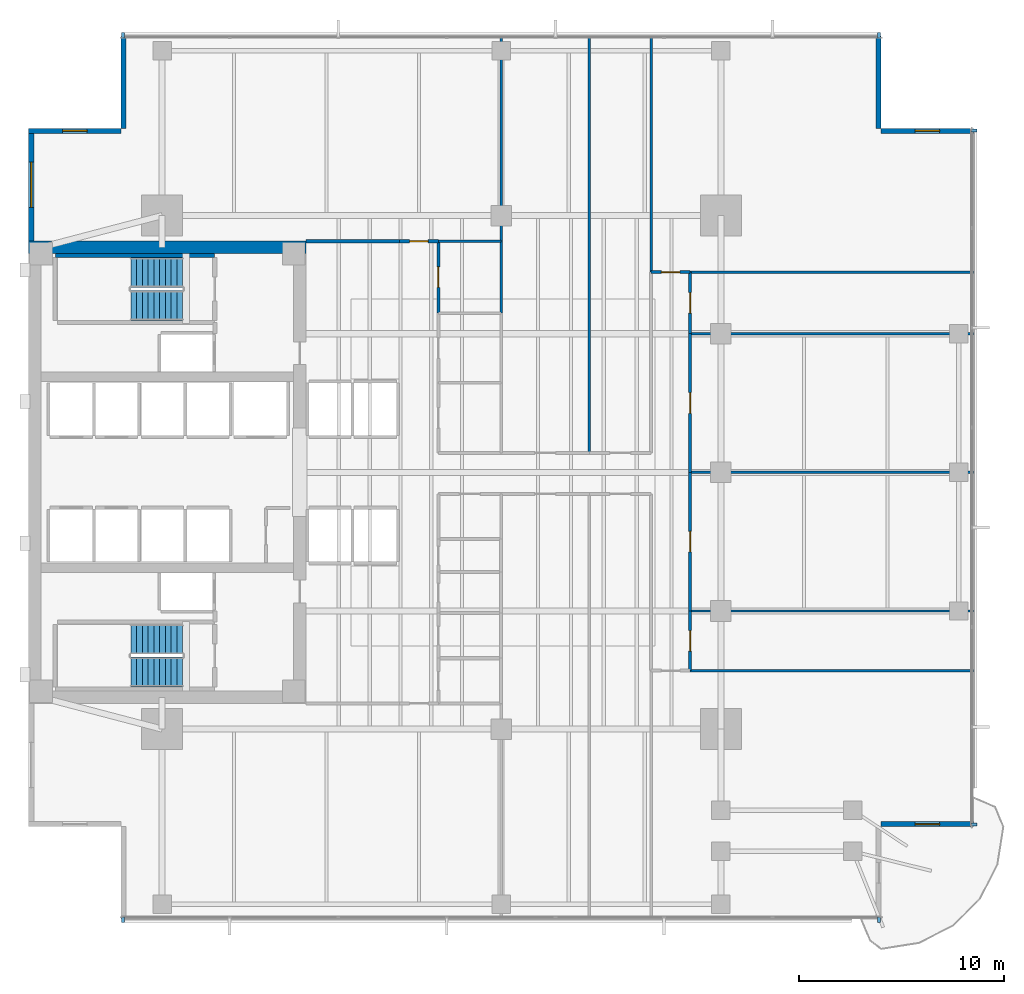
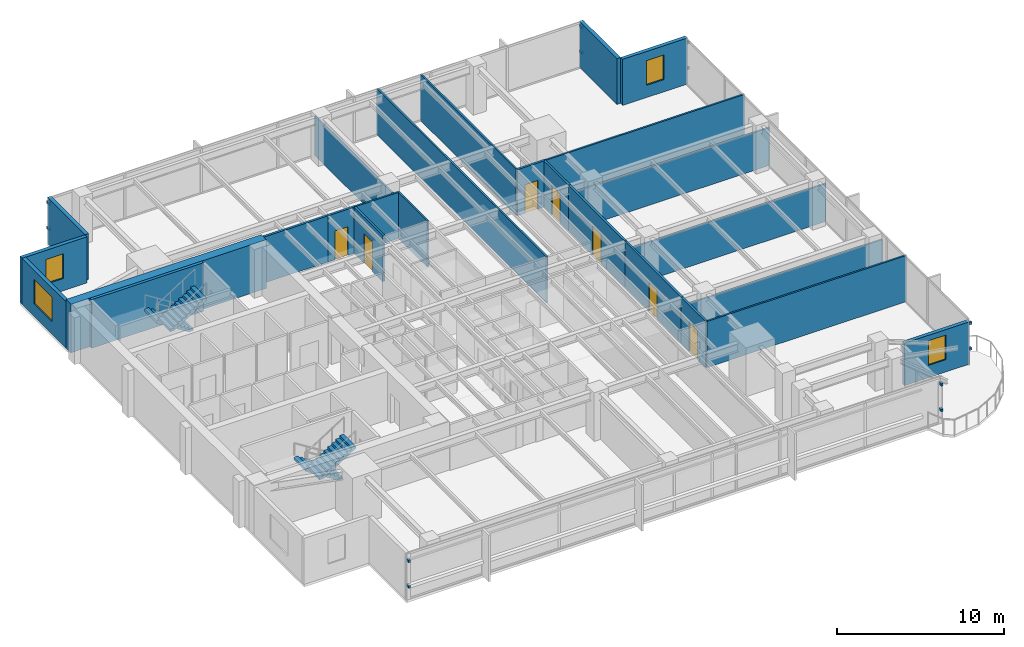
# One storey, part 10 of 14: 26 walls, 12 discrete accessories, 7 doors, 4 stair flights, 4 windows, 11 openings, 2 elements without a shape of their own.
"""IFC4 building model written with IfcOpenShell, lengths in metres."""

from ifc_helpers import new_model, si_unit, direction, frame, frame_2d, origin, origin_2d, place, context, subcontext, project, spatial, polyline, rectangle, outline, extrude, material, layer, layer_set, type_object, element, fill, aggregate, save


model = new_model("IFC4")

# Units and contexts
model_context = context("Model", 3, precision=1e-05, world=origin(), true_north=direction((0.0, 1.0)))
body_context = subcontext(model_context, "Body", "Model", "MODEL_VIEW")
ifc_project = project(units=[si_unit("LENGTHUNIT", "METRE"), si_unit("AREAUNIT", "SQUARE_METRE"), si_unit("VOLUMEUNIT", "CUBIC_METRE"), si_unit("PLANEANGLEUNIT", "RADIAN"), si_unit("MASSUNIT", "GRAM", prefix="KILO")], contexts=[model_context])

# Site, building, storey
site_placement = place(None, origin())
site = spatial("IfcSite", under=ifc_project, at=site_placement, CompositionType="ELEMENT")
building_placement = place(site_placement, origin())
building = spatial("IfcBuilding", under=site, at=building_placement, Name="Kinhvarn Gate Tower", CompositionType="ELEMENT")
storey_placement = place(building_placement, frame((0.0, 0.0, 102.25)))
storey = spatial("IfcBuildingStorey", under=building, at=storey_placement, Name="L26", CompositionType="ELEMENT", Elevation=102.25)

# Wall
ifc_material_1 = material(Name="Concrete C60/75", Category="concrete")
ifc_layer_1 = layer(ifc_material_1, 0.60009765625)
ifc_layer_set_1 = layer_set([ifc_layer_1], Name="Concrete C60/75")
wall_type_1 = type_object("IfcWallType", Name="WL-CORE-600", PredefinedType="SHEAR", material=ifc_layer_set_1)
wall_1_placement = place(storey_placement, frame((4.5, 36.199951171875, 0.0), z_axis=(0.0, 0.0, 1.0), x_axis=(1.0, 0.0, 0.0)))
element("IfcWall", 1, at=wall_1_placement, inside=storey, type_object=wall_type_1, Name="Core North Shear Wall L26 600 mm", PredefinedType="SHEAR", context=body_context, shape_type="SweptSolid", body=[
    extrude(rectangle(XDim=13.5, YDim=0.60009765625, at=frame_2d((6.75, 0.0))), origin(), (0.0, 0.0, 1.0), 3.550048828125),
])

# Wall, opening, window
ifc_material_2 = material(Name="Fired architectural terracotta", Category="masonry")
ifc_layer_2 = layer(ifc_material_2, 0.25)
ifc_layer_set_2 = layer_set([ifc_layer_2], Name="Fired architectural terracotta")
wall_type_2 = type_object("IfcWallType", Name="WL-EXT-250", PredefinedType="SOLIDWALL", material=ifc_layer_set_2)
wall_2_placement = place(storey_placement, frame((4.625, 42.0, 0.0), z_axis=(0.0, 0.0, 1.0), x_axis=(0.0, -1.0, 0.0)))
wall_2 = element("IfcWall", 2, at=wall_2_placement, inside=storey, type_object=wall_type_2, Name="Exterior Solidwall Wall EW-250 (L26 West-North)", PredefinedType="SOLIDWALL", context=body_context, shape_type="SweptSolid", body=[
    extrude(rectangle(XDim=5.5, YDim=0.25, at=frame_2d((2.75, 0.0))), origin(), (0.0, 0.0, 1.0), 3.3701171875),
])
opening_1_placement = place(wall_2_placement, frame((1.64990234375, 0.0, 0.89990234375)))
opening_1 = element("IfcOpeningElement", 3, at=opening_1_placement, cuts=wall_2, Name="Opening WN-01", PredefinedType="OPENING", context=body_context, shape_type="SweptSolid", body=[
    extrude(rectangle(XDim=2.199951171875, YDim=1.800048828125, at=frame_2d((1.10009765625, 0.89990234375))), frame((0.0, 0.135009765625, 0.0), z_axis=(0.0, -1.0, 0.0), x_axis=(1.0, 0.0, 0.0)), (0.0, 0.0, 1.0), 0.27001953125),
])
ifc_material_3 = material(Name="Clear low-e double glazing", Category="glass")
window_type_1 = type_object("IfcWindowType", Name="WIN-RIB-2200", PartitioningType="SINGLE_PANEL", PredefinedType="WINDOW", material=ifc_material_3)
window_1_placement = place(opening_1_placement, origin())
window_1 = element("IfcWindow", 4, at=window_1_placement, inside=storey, type_object=window_type_1, Name="West Flank Double-Glazed Ribbon Window 2200x1800 mm (L26)", OverallHeight=1.800048828125, OverallWidth=2.199951171875, PartitioningType="SINGLE_PANEL", PredefinedType="WINDOW", context=body_context, shape_type="SweptSolid", body=[
    extrude(rectangle(XDim=2.199951171875, YDim=1.800048828125, at=frame_2d((1.10009765625, 0.89990234375))), frame((0.0, 0.030029296875, 0.0), z_axis=(0.0, -1.0, 0.0), x_axis=(1.0, 0.0, 0.0)), (0.0, 0.0, 1.0), 0.06005859375),
])
fill(opening_1, window_1)

wall_3_placement = place(storey_placement, frame((46.0, 8.125, 0.0), z_axis=(0.0, 0.0, 1.0), x_axis=(1.0, 0.0, 0.0)))
wall_3 = element("IfcWall", 5, at=wall_3_placement, inside=storey, type_object=wall_type_2, Name="Exterior Solidwall Wall EW-250 (L26 SE-Notch-Win)", PredefinedType="SOLIDWALL", context=body_context, shape_type="SweptSolid", body=[
    extrude(rectangle(XDim=4.5, YDim=0.25, at=frame_2d((2.25, 0.0))), origin(), (0.0, 0.0, 1.0), 3.10009765625),
])
opening_2_placement = place(wall_3_placement, frame((1.64990234375, 0.0, 0.89990234375)))
opening_2 = element("IfcOpeningElement", 6, at=opening_2_placement, cuts=wall_3, Name="Opening WN-02", PredefinedType="OPENING", context=body_context, shape_type="SweptSolid", body=[
    extrude(rectangle(XDim=1.199951171875, YDim=1.800048828125, at=frame_2d((0.60009765625, 0.89990234375))), frame((0.0, 0.135009765625, 0.0), z_axis=(0.0, -1.0, 0.0), x_axis=(1.0, 0.0, 0.0)), (0.0, 0.0, 1.0), 0.27001953125),
])
window_type_2 = type_object("IfcWindowType", Name="WIN-NTC-1200", PartitioningType="SINGLE_PANEL", PredefinedType="WINDOW", material=ifc_material_3)
window_2_placement = place(opening_2_placement, origin())
window_2 = element("IfcWindow", 7, at=window_2_placement, inside=storey, type_object=window_type_2, Name="Recessed Corner Notch Punched Window 1200x1800 mm (L26)", OverallHeight=1.800048828125, OverallWidth=1.199951171875, PartitioningType="SINGLE_PANEL", PredefinedType="WINDOW", context=body_context, shape_type="SweptSolid", body=[
    extrude(rectangle(XDim=1.199951171875, YDim=1.800048828125, at=frame_2d((0.60009765625, 0.89990234375))), frame((0.0, 0.030029296875, 0.0), z_axis=(0.0, -1.0, 0.0), x_axis=(1.0, 0.0, 0.0)), (0.0, 0.0, 1.0), 0.06005859375),
])
fill(opening_2, window_2)

wall_4_placement = place(storey_placement, frame((50.5, 41.875, 0.0), z_axis=(0.0, 0.0, 1.0), x_axis=(-1.0, 0.0, 0.0)))
wall_4 = element("IfcWall", 8, at=wall_4_placement, inside=storey, type_object=wall_type_2, Name="Exterior Solidwall Wall EW-250 (L26 NE-Notch-1)", PredefinedType="SOLIDWALL", context=body_context, shape_type="SweptSolid", body=[
    extrude(rectangle(XDim=4.5, YDim=0.25, at=frame_2d((2.25, 0.0))), origin(), (0.0, 0.0, 1.0), 3.3701171875),
])
opening_3_placement = place(wall_4_placement, frame((1.64990234375, 0.0, 0.89990234375)))
opening_3 = element("IfcOpeningElement", 9, at=opening_3_placement, cuts=wall_4, Name="Opening WN-02", PredefinedType="OPENING", context=body_context, shape_type="SweptSolid", body=[
    extrude(rectangle(XDim=1.199951171875, YDim=1.800048828125, at=frame_2d((0.60009765625, 0.89990234375))), frame((0.0, 0.135009765625, 0.0), z_axis=(0.0, -1.0, 0.0), x_axis=(1.0, 0.0, 0.0)), (0.0, 0.0, 1.0), 0.27001953125),
])
window_3_placement = place(opening_3_placement, origin())
window_3 = element("IfcWindow", 10, at=window_3_placement, inside=storey, type_object=window_type_2, Name="Recessed Corner Notch Punched Window 1200x1800 mm (L26)", OverallHeight=1.800048828125, OverallWidth=1.199951171875, PartitioningType="SINGLE_PANEL", PredefinedType="WINDOW", context=body_context, shape_type="SweptSolid", body=[
    extrude(rectangle(XDim=1.199951171875, YDim=1.800048828125, at=frame_2d((0.60009765625, 0.89990234375))), frame((0.0, 0.030029296875, 0.0), z_axis=(0.0, -1.0, 0.0), x_axis=(1.0, 0.0, 0.0)), (0.0, 0.0, 1.0), 0.06005859375),
])
fill(opening_3, window_3)

# Walls
for number, where, z_axis, x_axis, name in (
    (11, (45.875, 42.0, 0.0), (0.0, 0.0, 1.0), (0.0, 1.0, 0.0), "Exterior Solidwall Wall EW-250 (L26 NE-Notch-2)"),
    (12, (9.125, 46.5, 0.0), (0.0, 0.0, 1.0), (0.0, -1.0, 0.0), "Exterior Solidwall Wall EW-250 (L26 NW-Notch-1)"),
):
    element("IfcWall", number, at=place(storey_placement, frame(where, z_axis=z_axis, x_axis=x_axis)), inside=storey, type_object=wall_type_2, Name=name, PredefinedType="SOLIDWALL", context=body_context, shape_type="SweptSolid", body=[
        extrude(rectangle(XDim=4.5, YDim=0.25, at=frame_2d((2.25, 0.0))), origin(), (0.0, 0.0, 1.0), 3.3701171875),
    ])

# Wall, opening, window
wall_5_placement = place(storey_placement, frame((9.0, 41.875, 0.0), z_axis=(0.0, 0.0, 1.0), x_axis=(-1.0, 0.0, 0.0)))
wall_5 = element("IfcWall", 13, at=wall_5_placement, inside=storey, type_object=wall_type_2, Name="Exterior Solidwall Wall EW-250 (L26 NW-Notch-2)", PredefinedType="SOLIDWALL", context=body_context, shape_type="SweptSolid", body=[
    extrude(rectangle(XDim=4.5, YDim=0.25, at=frame_2d((2.25, 0.0))), origin(), (0.0, 0.0, 1.0), 3.3701171875),
])
opening_4_placement = place(wall_5_placement, frame((1.64990234375, 0.0, 0.89990234375)))
opening_4 = element("IfcOpeningElement", 14, at=opening_4_placement, cuts=wall_5, Name="Opening WN-02", PredefinedType="OPENING", context=body_context, shape_type="SweptSolid", body=[
    extrude(rectangle(XDim=1.199951171875, YDim=1.800048828125, at=frame_2d((0.60009765625, 0.89990234375))), frame((0.0, 0.135009765625, 0.0), z_axis=(0.0, -1.0, 0.0), x_axis=(1.0, 0.0, 0.0)), (0.0, 0.0, 1.0), 0.27001953125),
])
window_4_placement = place(opening_4_placement, origin())
window_4 = element("IfcWindow", 15, at=window_4_placement, inside=storey, type_object=window_type_2, Name="Recessed Corner Notch Punched Window 1200x1800 mm (L26)", OverallHeight=1.800048828125, OverallWidth=1.199951171875, PartitioningType="SINGLE_PANEL", PredefinedType="WINDOW", context=body_context, shape_type="SweptSolid", body=[
    extrude(rectangle(XDim=1.199951171875, YDim=1.800048828125, at=frame_2d((0.60009765625, 0.89990234375))), frame((0.0, 0.030029296875, 0.0), z_axis=(0.0, -1.0, 0.0), x_axis=(1.0, 0.0, 0.0)), (0.0, 0.0, 1.0), 0.06005859375),
])
fill(opening_4, window_4)

# Walls
ifc_material_4 = material(Name="Gypsum acoustic partition board")
ifc_layer_3 = layer(ifc_material_4, 0.1201171875)
ifc_layer_set_3 = layer_set([ifc_layer_3], Name="Gypsum acoustic partition board")
wall_type_3 = type_object("IfcWallType", Name="WL-PRT-120", PredefinedType="PARTITIONING", material=ifc_layer_set_3)
wall_6_placement = place(storey_placement, frame((24.449951171875, 36.5, 0.0), z_axis=(0.0, 0.0, 1.0), x_axis=(1.0, 0.0, 0.0)))
element("IfcWall", 16, at=wall_6_placement, inside=storey, type_object=wall_type_3, Name="Interior Partition PW-120 (L26)", PredefinedType="PARTITIONING", context=body_context, shape_type="SweptSolid", body=[
    extrude(rectangle(XDim=3.050048828125, YDim=0.1201171875, at=frame_2d((1.52490234375, 0.0))), origin(), (0.0, 0.0, 1.0), 3.3701171875),
])
wall_7_placement = place(storey_placement, frame((27.5, 33.0, 0.0), z_axis=(0.0, 0.0, 1.0), x_axis=(0.0, 1.0, 0.0)))
element("IfcWall", 17, at=wall_7_placement, inside=storey, type_object=wall_type_3, Name="Interior Partition PW-120 (L26)", PredefinedType="PARTITIONING", context=body_context, shape_type="SweptSolid", body=[
    extrude(rectangle(XDim=3.5, YDim=0.1201171875, at=frame_2d((1.75, 0.0))), origin(), (0.0, 0.0, 1.0), 3.3701171875),
])
wall_8_placement = place(storey_placement, frame((27.5, 36.5, 0.0), z_axis=(0.0, 0.0, 1.0), x_axis=(0.0, 1.0, 0.0)))
element("IfcWall", 18, at=wall_8_placement, inside=storey, type_object=wall_type_3, Name="Interior Partition PW-120 (L26)", PredefinedType="PARTITIONING", context=body_context, shape_type="SweptSolid", body=[
    extrude(rectangle(XDim=9.989990234375, YDim=0.1201171875, at=frame_2d((4.9951171875, 0.0))), origin(), (0.0, 0.0, 1.0), 2.8701171875),
])
wall_9_placement = place(storey_placement, frame((31.800048828125, 26.199951171875, 0.0), z_axis=(0.0, 0.0, 1.0), x_axis=(0.0, 1.0, 0.0)))
element("IfcWall", 19, at=wall_9_placement, inside=storey, type_object=wall_type_3, Name="Interior Partition PW-120 (L26)", PredefinedType="PARTITIONING", context=body_context, shape_type="SweptSolid", body=[
    extrude(rectangle(XDim=20.2900390625, YDim=0.1201171875, at=frame_2d((10.14501953125, 0.0))), origin(), (0.0, 0.0, 1.0), 3.3701171875),
])
wall_10_placement = place(storey_placement, frame((34.800048828125, 35.0, 0.0), z_axis=(0.0, 0.0, 1.0), x_axis=(0.0, 1.0, 0.0)))
element("IfcWall", 20, at=wall_10_placement, inside=storey, type_object=wall_type_3, Name="Interior Partition PW-120 (L26)", PredefinedType="PARTITIONING", context=body_context, shape_type="SweptSolid", body=[
    extrude(rectangle(XDim=11.489990234375, YDim=0.1201171875, at=frame_2d((5.7451171875, 0.0))), origin(), (0.0, 0.0, 1.0), 3.3701171875),
])
wall_11_placement = place(storey_placement, frame((36.699951171875, 15.60009765625, 0.0), z_axis=(0.0, 0.0, 1.0), x_axis=(1.0, 0.0, 0.0)))
element("IfcWall", 21, at=wall_11_placement, inside=storey, type_object=wall_type_3, Name="Interior Partition PW-120 (L26)", PredefinedType="PARTITIONING", context=body_context, shape_type="SweptSolid", body=[
    extrude(rectangle(XDim=13.7900390625, YDim=0.1201171875, at=frame_2d((6.89501953125, 0.0))), origin(), (0.0, 0.0, 1.0), 3.3701171875),
])
for number, where, z_axis, x_axis, name in (
    (22, (36.699951171875, 18.5, 0.0), (0.0, 0.0, 1.0), (1.0, 0.0, 0.0), "Interior Partition PW-120 (L26)"),
    (23, (36.699951171875, 25.25, 0.0), (0.0, 0.0, 1.0), (1.0, 0.0, 0.0), "Interior Partition PW-120 (L26)"),
    (24, (36.699951171875, 32.0, 0.0), (0.0, 0.0, 1.0), (1.0, 0.0, 0.0), "Interior Partition PW-120 (L26)"),
):
    element("IfcWall", number, at=place(storey_placement, frame(where, z_axis=z_axis, x_axis=x_axis)), inside=storey, type_object=wall_type_3, Name=name, PredefinedType="PARTITIONING", context=body_context, shape_type="SweptSolid", body=[
        extrude(rectangle(XDim=13.7900390625, YDim=0.1201171875, at=frame_2d((6.89501953125, 0.0))), origin(), (0.0, 0.0, 1.0), 2.77001953125),
    ])
wall_12_placement = place(storey_placement, frame((36.699951171875, 35.0, 0.0), z_axis=(0.0, 0.0, 1.0), x_axis=(1.0, 0.0, 0.0)))
element("IfcWall", 25, at=wall_12_placement, inside=storey, type_object=wall_type_3, Name="Interior Partition PW-120 (L26)", PredefinedType="PARTITIONING", context=body_context, shape_type="SweptSolid", body=[
    extrude(rectangle(XDim=13.7900390625, YDim=0.1201171875, at=frame_2d((6.89501953125, 0.0))), origin(), (0.0, 0.0, 1.0), 3.3701171875),
])
ifc_layer_4 = layer(ifc_material_4, 0.14990234375)
ifc_layer_set_4 = layer_set([ifc_layer_4], Name="Gypsum acoustic partition board")
wall_type_4 = type_object("IfcWallType", Name="WL-PRT-150F", PredefinedType="PARTITIONING", material=ifc_layer_set_4)
wall_13_placement = place(storey_placement, frame((18.0, 36.5, 0.0), z_axis=(0.0, 0.0, 1.0), x_axis=(1.0, 0.0, 0.0)))
element("IfcWall", 26, at=wall_13_placement, inside=storey, type_object=wall_type_4, Name="Interior Partition PW-150F (L26)", PredefinedType="PARTITIONING", context=body_context, shape_type="SweptSolid", body=[
    extrude(rectangle(XDim=4.550048828125, YDim=0.14990234375, at=frame_2d((2.27490234375, 0.0))), origin(), (0.0, 0.0, 1.0), 3.3701171875),
])

# Wall, opening, door
wall_14_placement = place(storey_placement, frame((24.449951171875, 33.0, 0.0), z_axis=(0.0, 0.0, 1.0), x_axis=(0.0, 1.0, 0.0)))
wall_14 = element("IfcWall", 27, at=wall_14_placement, inside=storey, type_object=wall_type_4, Name="Interior Partition PW-150F (L26)", PredefinedType="PARTITIONING", context=body_context, shape_type="SweptSolid", body=[
    extrude(rectangle(XDim=3.5, YDim=0.14990234375, at=frame_2d((1.75, 0.0))), origin(), (0.0, 0.0, 1.0), 3.3701171875),
])
opening_5_placement = place(wall_14_placement, frame((1.25, 0.0, 0.0)))
opening_5 = element("IfcOpeningElement", 28, at=opening_5_placement, cuts=wall_14, Name="Opening ID-02", PredefinedType="OPENING", context=body_context, shape_type="SweptSolid", body=[
    extrude(rectangle(XDim=1.0, YDim=2.14990234375, at=frame_2d((0.5, 1.074951171875))), frame((0.0, 0.0849609375, 0.0), z_axis=(0.0, -1.0, 0.0), x_axis=(1.0, 0.0, 0.0)), (0.0, 0.0, 1.0), 0.169921875),
])
ifc_material_5 = material(Name="Anodised aluminium AW-6063", Category="aluminium")
door_type_1 = type_object("IfcDoorType", Name="DR-INT-1000", OperationType="NOTDEFINED", PredefinedType="DOOR", material=ifc_material_5)
door_1_placement = place(opening_5_placement, origin())
door_1 = element("IfcDoor", 29, at=door_1_placement, inside=storey, type_object=door_type_1, Name="Standard Office & Meeting Room Door 1000x2150 mm (L26)", OperationType="SINGLE_SWING_RIGHT", OverallHeight=2.14990234375, OverallWidth=1.0, PredefinedType="DOOR", context=body_context, shape_type="SweptSolid", body=[
    extrude(rectangle(XDim=1.0, YDim=2.14990234375, at=frame_2d((0.5, 1.074951171875))), frame((0.0, 0.02490234375, 0.0), z_axis=(0.0, -1.0, 0.0), x_axis=(1.0, 0.0, 0.0)), (0.0, 0.0, 1.0), 0.050048828125),
])
fill(opening_5, door_1)

wall_15_placement = place(storey_placement, frame((22.550048828125, 36.5, 0.0), z_axis=(0.0, 0.0, 1.0), x_axis=(1.0, 0.0, 0.0)))
wall_15 = element("IfcWall", 30, at=wall_15_placement, inside=storey, type_object=wall_type_4, Name="Interior Partition PW-150F (L26)", PredefinedType="PARTITIONING", context=body_context, shape_type="SweptSolid", body=[
    extrude(rectangle(XDim=1.89990234375, YDim=0.14990234375, at=frame_2d((0.949951171875, 0.0))), origin(), (0.0, 0.0, 1.0), 3.3701171875),
])
opening_6_placement = place(wall_15_placement, frame((0.5, 0.0, 0.0)))
opening_6 = element("IfcOpeningElement", 31, at=opening_6_placement, cuts=wall_15, Name="Opening ID-03", PredefinedType="OPENING", context=body_context, shape_type="SweptSolid", body=[
    extrude(rectangle(XDim=0.89990234375, YDim=2.10009765625, at=frame_2d((0.449951171875, 1.050048828125))), frame((0.0, 0.0849609375, 0.0), z_axis=(0.0, -1.0, 0.0), x_axis=(1.0, 0.0, 0.0)), (0.0, 0.0, 1.0), 0.169921875),
])
door_type_2 = type_object("IfcDoorType", Name="DR-INT-900", OperationType="NOTDEFINED", PredefinedType="DOOR", material=ifc_material_5)
door_2_placement = place(opening_6_placement, origin())
door_2 = element("IfcDoor", 32, at=door_2_placement, inside=storey, type_object=door_type_2, Name="Cellular Office & Restroom Door 900x2100 mm (L26)", OperationType="SINGLE_SWING_RIGHT", OverallHeight=2.10009765625, OverallWidth=0.89990234375, PredefinedType="DOOR", context=body_context, shape_type="SweptSolid", body=[
    extrude(rectangle(XDim=0.89990234375, YDim=2.10009765625, at=frame_2d((0.449951171875, 1.050048828125))), frame((0.0, 0.02490234375, 0.0), z_axis=(0.0, -1.0, 0.0), x_axis=(1.0, 0.0, 0.0)), (0.0, 0.0, 1.0), 0.050048828125),
])
fill(opening_6, door_2)

wall_16_placement = place(storey_placement, frame((36.699951171875, 15.60009765625, 0.0), z_axis=(0.0, 0.0, 1.0), x_axis=(0.0, 1.0, 0.0)))
wall_16 = element("IfcWall", 33, at=wall_16_placement, inside=storey, type_object=wall_type_4, Name="Interior Partition PW-150F (L26)", PredefinedType="PARTITIONING", context=body_context, shape_type="SweptSolid", body=[
    extrude(rectangle(XDim=2.89990234375, YDim=0.14990234375, at=frame_2d((1.449951171875, 0.0))), origin(), (0.0, 0.0, 1.0), 3.3701171875),
])
opening_7_placement = place(wall_16_placement, frame((0.949951171875, 0.0, 0.0)))
opening_7 = element("IfcOpeningElement", 34, at=opening_7_placement, cuts=wall_16, Name="Opening ID-02", PredefinedType="OPENING", context=body_context, shape_type="SweptSolid", body=[
    extrude(rectangle(XDim=1.0, YDim=2.14990234375, at=frame_2d((0.5, 1.074951171875))), frame((0.0, 0.0849609375, 0.0), z_axis=(0.0, -1.0, 0.0), x_axis=(1.0, 0.0, 0.0)), (0.0, 0.0, 1.0), 0.169921875),
])
door_3_placement = place(opening_7_placement, origin())
door_3 = element("IfcDoor", 35, at=door_3_placement, inside=storey, type_object=door_type_1, Name="Standard Office & Meeting Room Door 1000x2150 mm (L26)", OperationType="SINGLE_SWING_LEFT", OverallHeight=2.14990234375, OverallWidth=1.0, PredefinedType="DOOR", context=body_context, shape_type="SweptSolid", body=[
    extrude(rectangle(XDim=1.0, YDim=2.14990234375, at=frame_2d((0.5, 1.074951171875))), frame((0.0, 0.02490234375, 0.0), z_axis=(0.0, -1.0, 0.0), x_axis=(1.0, 0.0, 0.0)), (0.0, 0.0, 1.0), 0.050048828125),
])
fill(opening_7, door_3)

wall_17_placement = place(storey_placement, frame((36.699951171875, 18.5, 0.0), z_axis=(0.0, 0.0, 1.0), x_axis=(0.0, 1.0, 0.0)))
wall_17 = element("IfcWall", 36, at=wall_17_placement, inside=storey, type_object=wall_type_4, Name="Interior Partition PW-150F (L26)", PredefinedType="PARTITIONING", context=body_context, shape_type="SweptSolid", body=[
    extrude(rectangle(XDim=6.75, YDim=0.14990234375, at=frame_2d((3.375, 0.0))), origin(), (0.0, 0.0, 1.0), 3.3701171875),
])
opening_8_placement = place(wall_17_placement, frame((2.875, 0.0, 0.0)))
opening_8 = element("IfcOpeningElement", 37, at=opening_8_placement, cuts=wall_17, Name="Opening ID-02", PredefinedType="OPENING", context=body_context, shape_type="SweptSolid", body=[
    extrude(rectangle(XDim=1.0, YDim=2.14990234375, at=frame_2d((0.5, 1.074951171875))), frame((0.0, 0.0849609375, 0.0), z_axis=(0.0, -1.0, 0.0), x_axis=(1.0, 0.0, 0.0)), (0.0, 0.0, 1.0), 0.169921875),
])
door_4_placement = place(opening_8_placement, origin())
door_4 = element("IfcDoor", 38, at=door_4_placement, inside=storey, type_object=door_type_1, Name="Standard Office & Meeting Room Door 1000x2150 mm (L26)", OperationType="SINGLE_SWING_RIGHT", OverallHeight=2.14990234375, OverallWidth=1.0, PredefinedType="DOOR", context=body_context, shape_type="SweptSolid", body=[
    extrude(rectangle(XDim=1.0, YDim=2.14990234375, at=frame_2d((0.5, 1.074951171875))), frame((0.0, 0.02490234375, 0.0), z_axis=(0.0, -1.0, 0.0), x_axis=(1.0, 0.0, 0.0)), (0.0, 0.0, 1.0), 0.050048828125),
])
fill(opening_8, door_4)

wall_18_placement = place(storey_placement, frame((36.699951171875, 25.25, 0.0), z_axis=(0.0, 0.0, 1.0), x_axis=(0.0, 1.0, 0.0)))
wall_18 = element("IfcWall", 39, at=wall_18_placement, inside=storey, type_object=wall_type_4, Name="Interior Partition PW-150F (L26)", PredefinedType="PARTITIONING", context=body_context, shape_type="SweptSolid", body=[
    extrude(rectangle(XDim=6.75, YDim=0.14990234375, at=frame_2d((3.375, 0.0))), origin(), (0.0, 0.0, 1.0), 3.3701171875),
])
opening_9_placement = place(wall_18_placement, frame((2.875, 0.0, 0.0)))
opening_9 = element("IfcOpeningElement", 40, at=opening_9_placement, cuts=wall_18, Name="Opening ID-02", PredefinedType="OPENING", context=body_context, shape_type="SweptSolid", body=[
    extrude(rectangle(XDim=1.0, YDim=2.14990234375, at=frame_2d((0.5, 1.074951171875))), frame((0.0, 0.0849609375, 0.0), z_axis=(0.0, -1.0, 0.0), x_axis=(1.0, 0.0, 0.0)), (0.0, 0.0, 1.0), 0.169921875),
])
door_5_placement = place(opening_9_placement, origin())
door_5 = element("IfcDoor", 41, at=door_5_placement, inside=storey, type_object=door_type_1, Name="Standard Office & Meeting Room Door 1000x2150 mm (L26)", OperationType="SINGLE_SWING_LEFT", OverallHeight=2.14990234375, OverallWidth=1.0, PredefinedType="DOOR", context=body_context, shape_type="SweptSolid", body=[
    extrude(rectangle(XDim=1.0, YDim=2.14990234375, at=frame_2d((0.5, 1.074951171875))), frame((0.0, 0.02490234375, 0.0), z_axis=(0.0, -1.0, 0.0), x_axis=(1.0, 0.0, 0.0)), (0.0, 0.0, 1.0), 0.050048828125),
])
fill(opening_9, door_5)

wall_19_placement = place(storey_placement, frame((36.699951171875, 32.0, 0.0), z_axis=(0.0, 0.0, 1.0), x_axis=(0.0, 1.0, 0.0)))
wall_19 = element("IfcWall", 42, at=wall_19_placement, inside=storey, type_object=wall_type_4, Name="Interior Partition PW-150F (L26)", PredefinedType="PARTITIONING", context=body_context, shape_type="SweptSolid", body=[
    extrude(rectangle(XDim=3.0, YDim=0.14990234375, at=frame_2d((1.5, 0.0))), origin(), (0.0, 0.0, 1.0), 3.3701171875),
])
opening_10_placement = place(wall_19_placement, frame((1.0, 0.0, 0.0)))
opening_10 = element("IfcOpeningElement", 43, at=opening_10_placement, cuts=wall_19, Name="Opening ID-02", PredefinedType="OPENING", context=body_context, shape_type="SweptSolid", body=[
    extrude(rectangle(XDim=1.0, YDim=2.14990234375, at=frame_2d((0.5, 1.074951171875))), frame((0.0, 0.0849609375, 0.0), z_axis=(0.0, -1.0, 0.0), x_axis=(1.0, 0.0, 0.0)), (0.0, 0.0, 1.0), 0.169921875),
])
door_6_placement = place(opening_10_placement, origin())
door_6 = element("IfcDoor", 44, at=door_6_placement, inside=storey, type_object=door_type_1, Name="Standard Office & Meeting Room Door 1000x2150 mm (L26)", OperationType="SINGLE_SWING_RIGHT", OverallHeight=2.14990234375, OverallWidth=1.0, PredefinedType="DOOR", context=body_context, shape_type="SweptSolid", body=[
    extrude(rectangle(XDim=1.0, YDim=2.14990234375, at=frame_2d((0.5, 1.074951171875))), frame((0.0, 0.02490234375, 0.0), z_axis=(0.0, -1.0, 0.0), x_axis=(1.0, 0.0, 0.0)), (0.0, 0.0, 1.0), 0.050048828125),
])
fill(opening_10, door_6)

wall_20_placement = place(storey_placement, frame((34.800048828125, 35.0, 0.0), z_axis=(0.0, 0.0, 1.0), x_axis=(1.0, 0.0, 0.0)))
wall_20 = element("IfcWall", 45, at=wall_20_placement, inside=storey, type_object=wall_type_4, Name="Interior Partition PW-150F (L26)", PredefinedType="PARTITIONING", context=body_context, shape_type="SweptSolid", body=[
    extrude(rectangle(XDim=1.89990234375, YDim=0.14990234375, at=frame_2d((0.949951171875, 0.0))), origin(), (0.0, 0.0, 1.0), 3.3701171875),
])
opening_11_placement = place(wall_20_placement, frame((0.5, 0.0, 0.0)))
opening_11 = element("IfcOpeningElement", 46, at=opening_11_placement, cuts=wall_20, Name="Opening ID-03", PredefinedType="OPENING", context=body_context, shape_type="SweptSolid", body=[
    extrude(rectangle(XDim=0.89990234375, YDim=2.10009765625, at=frame_2d((0.449951171875, 1.050048828125))), frame((0.0, 0.0849609375, 0.0), z_axis=(0.0, -1.0, 0.0), x_axis=(1.0, 0.0, 0.0)), (0.0, 0.0, 1.0), 0.169921875),
])
door_7_placement = place(opening_11_placement, origin())
door_7 = element("IfcDoor", 47, at=door_7_placement, inside=storey, type_object=door_type_2, Name="Cellular Office & Restroom Door 900x2100 mm (L26)", OperationType="SINGLE_SWING_LEFT", OverallHeight=2.10009765625, OverallWidth=0.89990234375, PredefinedType="DOOR", context=body_context, shape_type="SweptSolid", body=[
    extrude(rectangle(XDim=0.89990234375, YDim=2.10009765625, at=frame_2d((0.449951171875, 1.050048828125))), frame((0.0, 0.02490234375, 0.0), z_axis=(0.0, -1.0, 0.0), x_axis=(1.0, 0.0, 0.0)), (0.0, 0.0, 1.0), 0.050048828125),
])
fill(opening_11, door_7)

# Wall
ifc_material_6 = material(Name="Concrete C40/50", Category="concrete")
ifc_layer_5 = layer(ifc_material_6, 0.199951171875)
ifc_layer_set_5 = layer_set([ifc_layer_5], Name="Concrete C40/50")
wall_type_5 = type_object("IfcWallType", Name="WL-SHF-200", PredefinedType="SOLIDWALL", material=ifc_layer_set_5)
wall_21_placement = place(storey_placement, frame((5.800048828125, 35.800048828125, 0.0), z_axis=(0.0, 0.0, 1.0), x_axis=(1.0, 0.0, 0.0)))
element("IfcWall", 48, at=wall_21_placement, inside=storey, type_object=wall_type_5, Name="Stair ST2 North Shaft Wall (L26)", PredefinedType="SOLIDWALL", context=body_context, shape_type="SweptSolid", body=[
    extrude(rectangle(XDim=7.75, YDim=0.199951171875, at=frame_2d((3.875, 0.0))), origin(), (0.0, 0.0, 1.0), 3.550048828125),
])

# Stair, stair flights
stair_type = type_object("IfcStairType", Name="STR-DLG-177", PredefinedType="HALF_TURN_STAIR", material=ifc_material_6)
stair_1_placement = place(storey_placement, origin())
stair_1 = element("IfcStair", 49, at=stair_1_placement, inside=storey, type_object=stair_type, Name="L26 Core Smokeproof Exit Stair ST1", PredefinedType="HALF_TURN_STAIR")
stair_flight_type = type_object("IfcStairFlightType", Name="STF-DLG-177", PredefinedType="STRAIGHT", material=ifc_material_6)
stair_flight_1_placement = place(storey_placement, frame((12.0, 17.125, 0.0), z_axis=(0.0, 0.0, 1.0), x_axis=(-1.0, 0.0, 0.0)))
stair_flight_1 = element("IfcStairFlight", 50, at=stair_flight_1_placement, type_object=stair_flight_type, Name="ST1 flight 1", NumberOfRisers=10, NumberOfTreads=9, PredefinedType="STRAIGHT", RiserHeight=0.1775, TreadLength=0.28, context=body_context, shape_type="SweptSolid", body=[
    extrude(outline(polyline([(0.0, 0.0), (0.0, 0.177490234375), (0.280029296875, 0.177490234375), (0.280029296875, 0.35498046875), (0.56005859375, 0.35498046875), (0.56005859375, 0.532470703125), (0.840087890625, 0.532470703125), (0.840087890625, 0.7099609375), (1.1201171875, 0.7099609375), (1.1201171875, 0.887451171875), (1.39990234375, 0.887451171875), (1.39990234375, 1.06494140625), (1.679931640625, 1.06494140625), (1.679931640625, 1.242431640625), (1.9599609375, 1.242431640625), (1.9599609375, 1.419921875), (2.239990234375, 1.419921875), (2.239990234375, 1.597412109375), (2.52001953125, 1.597412109375), (2.52001953125, 1.77490234375), (2.52001953125, 1.419921875), (0.280029296875, 0.0), (0.0, 0.0)])), frame((0.0, 0.72509765625, 0.0), z_axis=(0.0, -1.0, 0.0), x_axis=(1.0, 0.0, 0.0)), (0.0, 0.0, 1.0), 1.449951171875),
])
stair_flight_2_placement = place(storey_placement, frame((9.47998046875, 15.52490234375, 1.77490234375), z_axis=(0.0, 0.0, 1.0), x_axis=(1.0, 0.0, 0.0)))
stair_flight_2 = element("IfcStairFlight", 51, at=stair_flight_2_placement, type_object=stair_flight_type, Name="ST1 flight 2", NumberOfRisers=10, NumberOfTreads=9, PredefinedType="STRAIGHT", RiserHeight=0.1775, TreadLength=0.28, context=body_context, shape_type="SweptSolid", body=[
    extrude(outline(polyline([(0.0, 0.0), (0.0, 0.177490234375), (0.280029296875, 0.177490234375), (0.280029296875, 0.35498046875), (0.56005859375, 0.35498046875), (0.56005859375, 0.532470703125), (0.840087890625, 0.532470703125), (0.840087890625, 0.7099609375), (1.1201171875, 0.7099609375), (1.1201171875, 0.887451171875), (1.39990234375, 0.887451171875), (1.39990234375, 1.06494140625), (1.679931640625, 1.06494140625), (1.679931640625, 1.242431640625), (1.9599609375, 1.242431640625), (1.9599609375, 1.419921875), (2.239990234375, 1.419921875), (2.239990234375, 1.597412109375), (2.52001953125, 1.597412109375), (2.52001953125, 1.77490234375), (2.52001953125, 1.419921875), (0.280029296875, 0.0), (0.0, 0.0)])), frame((0.0, 0.72509765625, 0.0), z_axis=(0.0, -1.0, 0.0), x_axis=(1.0, 0.0, 0.0)), (0.0, 0.0, 1.0), 1.449951171875),
])
aggregate(stair_1, [stair_flight_1, stair_flight_2])

stair_2_placement = place(storey_placement, origin())
stair_2 = element("IfcStair", 52, at=stair_2_placement, inside=storey, type_object=stair_type, Name="L26 Core Smokeproof Exit Stair ST2", PredefinedType="HALF_TURN_STAIR")
stair_flight_3_placement = place(storey_placement, frame((12.0, 34.97509765625, 0.0), z_axis=(0.0, 0.0, 1.0), x_axis=(-1.0, 0.0, 0.0)))
stair_flight_3 = element("IfcStairFlight", 53, at=stair_flight_3_placement, type_object=stair_flight_type, Name="ST2 flight 1", NumberOfRisers=10, NumberOfTreads=9, PredefinedType="STRAIGHT", RiserHeight=0.1775, TreadLength=0.28, context=body_context, shape_type="SweptSolid", body=[
    extrude(outline(polyline([(0.0, 0.0), (0.0, 0.177490234375), (0.280029296875, 0.177490234375), (0.280029296875, 0.35498046875), (0.56005859375, 0.35498046875), (0.56005859375, 0.532470703125), (0.840087890625, 0.532470703125), (0.840087890625, 0.7099609375), (1.1201171875, 0.7099609375), (1.1201171875, 0.887451171875), (1.39990234375, 0.887451171875), (1.39990234375, 1.06494140625), (1.679931640625, 1.06494140625), (1.679931640625, 1.242431640625), (1.9599609375, 1.242431640625), (1.9599609375, 1.419921875), (2.239990234375, 1.419921875), (2.239990234375, 1.597412109375), (2.52001953125, 1.597412109375), (2.52001953125, 1.77490234375), (2.52001953125, 1.419921875), (0.280029296875, 0.0), (0.0, 0.0)])), frame((0.0, 0.72509765625, 0.0), z_axis=(0.0, -1.0, 0.0), x_axis=(1.0, 0.0, 0.0)), (0.0, 0.0, 1.0), 1.449951171875),
])
stair_flight_4_placement = place(storey_placement, frame((9.47998046875, 33.375, 1.77490234375), z_axis=(0.0, 0.0, 1.0), x_axis=(1.0, 0.0, 0.0)))
stair_flight_4 = element("IfcStairFlight", 54, at=stair_flight_4_placement, type_object=stair_flight_type, Name="ST2 flight 2", NumberOfRisers=10, NumberOfTreads=9, PredefinedType="STRAIGHT", RiserHeight=0.1775, TreadLength=0.28, context=body_context, shape_type="SweptSolid", body=[
    extrude(outline(polyline([(0.0, 0.0), (0.0, 0.177490234375), (0.280029296875, 0.177490234375), (0.280029296875, 0.35498046875), (0.56005859375, 0.35498046875), (0.56005859375, 0.532470703125), (0.840087890625, 0.532470703125), (0.840087890625, 0.7099609375), (1.1201171875, 0.7099609375), (1.1201171875, 0.887451171875), (1.39990234375, 0.887451171875), (1.39990234375, 1.06494140625), (1.679931640625, 1.06494140625), (1.679931640625, 1.242431640625), (1.9599609375, 1.242431640625), (1.9599609375, 1.419921875), (2.239990234375, 1.419921875), (2.239990234375, 1.597412109375), (2.52001953125, 1.597412109375), (2.52001953125, 1.77490234375), (2.52001953125, 1.419921875), (0.280029296875, 0.0), (0.0, 0.0)])), frame((0.0, 0.72509765625, 0.0), z_axis=(0.0, -1.0, 0.0), x_axis=(1.0, 0.0, 0.0)), (0.0, 0.0, 1.0), 1.449951171875),
])
aggregate(stair_2, [stair_flight_3, stair_flight_4])

# Discrete accessories
discrete_accessory_type = type_object("IfcDiscreteAccessoryType", Name="ACC-BRK-01", PredefinedType="BRACKET", material=ifc_material_5)
for number, where, z_axis, x_axis, name in (
    (55, (9.10009765625, 3.469970703125, 0.9599609375), (0.0, 0.0, 1.0), (1.0, 0.0, 0.0), "Baguette Support Bracket BK-01 (L26)"),
    (56, (9.10009765625, 3.469970703125, 2.830078125), (0.0, 0.0, 1.0), (1.0, 0.0, 0.0), "Baguette Support Bracket BK-01 (L26)"),
    (57, (45.89990234375, 3.469970703125, 0.9599609375), (0.0, 0.0, 1.0), (1.0, 0.0, 0.0), "Baguette Support Bracket BK-01 (L26)"),
    (58, (45.89990234375, 3.469970703125, 2.830078125), (0.0, 0.0, 1.0), (1.0, 0.0, 0.0), "Baguette Support Bracket BK-01 (L26)"),
    (59, (45.89990234375, 46.530029296875, 0.9599609375), (0.0, 0.0, 1.0), (-1.0, 0.0, 0.0), "Baguette Support Bracket BK-01 (L26)"),
    (60, (45.89990234375, 46.530029296875, 2.830078125), (0.0, 0.0, 1.0), (-1.0, 0.0, 0.0), "Baguette Support Bracket BK-01 (L26)"),
    (61, (9.10009765625, 46.530029296875, 0.9599609375), (0.0, 0.0, 1.0), (-1.0, 0.0, 0.0), "Baguette Support Bracket BK-01 (L26)"),
    (62, (9.10009765625, 46.530029296875, 2.830078125), (0.0, 0.0, 1.0), (-1.0, 0.0, 0.0), "Baguette Support Bracket BK-01 (L26)"),
    (63, (50.530029296875, 8.10009765625, 0.9599609375), (0.0, 0.0, 1.0), (0.0, 1.0, 0.0), "Baguette Support Bracket BK-01 (L26)"),
    (64, (50.530029296875, 8.10009765625, 2.830078125), (0.0, 0.0, 1.0), (0.0, 1.0, 0.0), "Baguette Support Bracket BK-01 (L26)"),
    (65, (50.530029296875, 41.89990234375, 0.9599609375), (0.0, 0.0, 1.0), (0.0, 1.0, 0.0), "Baguette Support Bracket BK-01 (L26)"),
    (66, (50.530029296875, 41.89990234375, 2.830078125), (0.0, 0.0, 1.0), (0.0, 1.0, 0.0), "Baguette Support Bracket BK-01 (L26)"),
):
    element("IfcDiscreteAccessory", number, at=place(storey_placement, frame(where, z_axis=z_axis, x_axis=x_axis)), inside=storey, type_object=discrete_accessory_type, Name=name, PredefinedType="BRACKET", context=body_context, shape_type="SweptSolid", body=[
        extrude(rectangle(XDim=0.139892578125, YDim=0.280029296875, at=origin_2d()), origin(), (0.0, 0.0, 1.0), 0.179931640625),
    ])

save(model, "model.ifc")
